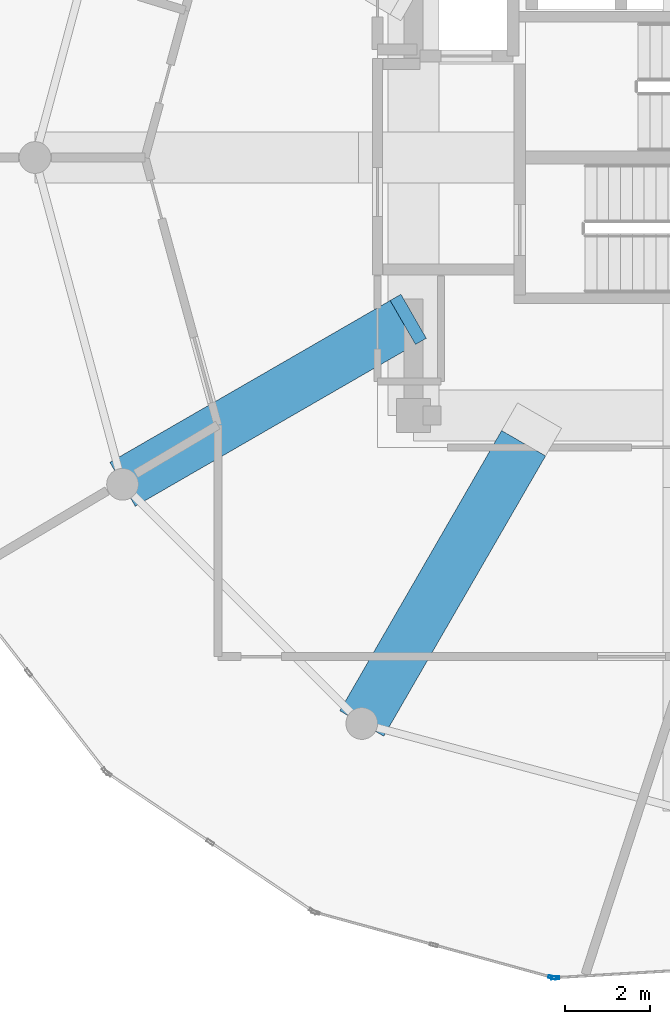
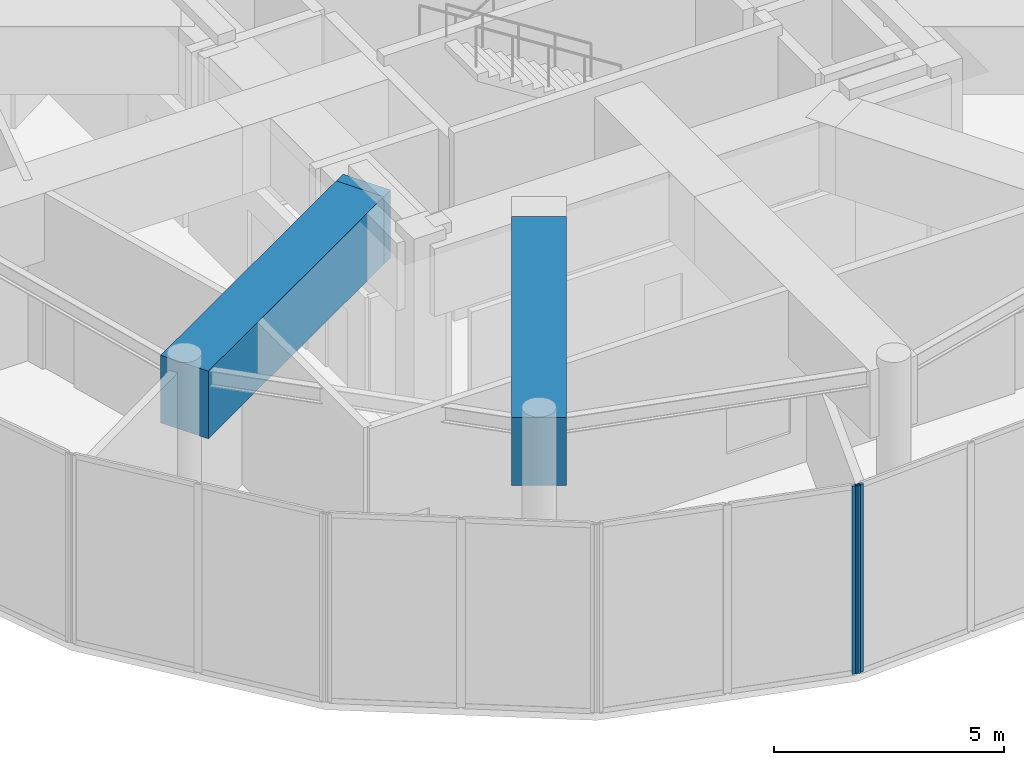
# One storey, part 4 of 20: 3 beams, 2 members, 2 elements without a shape of their own.
"""IFC4 building model written with IfcOpenShell, lengths in metres."""

import ifcopenshell
import ifcopenshell.guid

model = None  # the IFC model being written
_history = None  # IfcOwnerHistory: only IFC2X3 demands one
_inside = {}  # id of a spatial element -> (the spatial element, [elements in it])
_under = {}  # id of a project, library or spatial element -> (it, [spatial elements below it])
_declared = {}  # id of a project -> (the project, [libraries it declares])
_typed = {}  # id of a type object -> (the type object, [elements of that type])
_made_of = {}  # id of a material, layer set ... -> (it, [elements and type objects made of it])


def new_model(schema):
    """Start an empty IFC model of exactly this schema.

    Asked for "IFC4X3", IfcOpenShell would pick the latest addendum, in which some entities
    have other attributes; the version numbers below select the first issue.
    IFC2X3 requires an IfcOwnerHistory on every rooted entity: one is made here for all.
    """
    global model, _history
    if schema == "IFC4X3":
        model = ifcopenshell.file(schema_version=(4, 3, 0, 0))
    else:
        model = ifcopenshell.file(schema=schema)
    _inside.clear()
    _under.clear()
    _declared.clear()
    _typed.clear()
    _made_of.clear()
    _history = None
    if model.schema == "IFC2X3":
        org = make("IfcOrganization", Name="unknown")
        user = make(
            "IfcPersonAndOrganization",
            ThePerson=make("IfcPerson", FamilyName="unknown"),
            TheOrganization=org,
        )
        app = make(
            "IfcApplication",
            ApplicationDeveloper=org,
            Version="unknown",
            ApplicationFullName="unknown",
            ApplicationIdentifier="unknown",
        )
        _history = make(
            "IfcOwnerHistory",
            OwningUser=user,
            OwningApplication=app,
            ChangeAction="ADDED",
            CreationDate=0,
        )
    return model


def make(cls, **values):
    """One entity of the class cls with the attributes given. An attribute that is None is left unset."""
    return model.create_entity(
        cls, **{name: value for name, value in values.items() if value is not None}
    )


def rooted(cls, **values):
    """An entity with a GlobalId (a new one), such as an element, a storey or a relation."""
    return make(cls, GlobalId=ifcopenshell.guid.new(), OwnerHistory=_history, **values)


def si_unit(unit_type, name, prefix=None):
    """IfcSIUnit, for example si_unit("LENGTHUNIT", "METRE", prefix="MILLI")."""
    return make("IfcSIUnit", UnitType=unit_type, Prefix=prefix, Name=name)


def assignment(units):
    """IfcUnitAssignment: the units of a project."""
    return None if units is None else make("IfcUnitAssignment", Units=units)


def point(xyz):
    """IfcCartesianPoint."""
    return None if xyz is None else make("IfcCartesianPoint", Coordinates=xyz)


def direction(xyz):
    """IfcDirection."""
    return None if xyz is None else make("IfcDirection", DirectionRatios=xyz)


def frame(location, z_axis=None, x_axis=None):
    """IfcAxis2Placement3D, a coordinate frame: its origin and axes. An axis left out is left unset."""
    return make(
        "IfcAxis2Placement3D",
        Location=point(location),
        Axis=direction(z_axis),
        RefDirection=direction(x_axis),
    )


def frame_2d(location, x_axis=None):
    """IfcAxis2Placement2D, a coordinate frame in the plane: its origin and x axis."""
    return make(
        "IfcAxis2Placement2D", Location=point(location), RefDirection=direction(x_axis)
    )


def origin():
    """The frame at (0, 0, 0) with its axes left unset."""
    return frame((0.0, 0.0, 0.0))


def origin_2d():
    """The frame at (0, 0) in the plane with its x axis left unset."""
    return frame_2d((0.0, 0.0))


def place(relative_to, where):
    """IfcLocalPlacement: puts the frame where relative to a parent placement (None: the world)."""
    return make(
        "IfcLocalPlacement", PlacementRelTo=relative_to, RelativePlacement=where
    )


def context(
    kind, dimensions, precision=None, world=None, true_north=None, identifier=None
):
    """IfcGeometricRepresentationContext, for example the 3D "Model" context."""
    return make(
        "IfcGeometricRepresentationContext",
        ContextIdentifier=identifier,
        ContextType=kind,
        CoordinateSpaceDimension=dimensions,
        Precision=precision,
        WorldCoordinateSystem=world,
        TrueNorth=true_north,
    )


def subcontext(parent, identifier, kind, view, scale=None):
    """IfcGeometricRepresentationSubContext, for example "Body" below "Model"."""
    return make(
        "IfcGeometricRepresentationSubContext",
        ContextIdentifier=identifier,
        ContextType=kind,
        ParentContext=parent,
        TargetScale=scale,
        TargetView=view,
    )


def project(units=None, contexts=None):
    """IfcProject with its units and contexts."""
    return rooted(
        "IfcProject",
        Name="project",
        RepresentationContexts=contexts,
        UnitsInContext=assignment(units),
    )


def spatial(cls, under=None, at=None, **own):
    """A site, building, storey or space (cls), placed at a placement, below another one or the project."""
    s = rooted(cls, ObjectPlacement=at, **own)
    if under is not None:
        _under.setdefault(under.id(), (under, []))[1].append(s)
    return s


def profile(cls, at=None, kind="AREA", **sizes):
    """A parametric profile (cls). Its sizes go by their IFC names, for example OverallWidth=200.0."""
    return make(cls, ProfileType=kind, Position=at, **sizes)


def rectangle(**sizes):
    """IfcRectangleProfileDef."""
    return profile("IfcRectangleProfileDef", **sizes)


def hollow_rectangle(**sizes):
    """IfcRectangleHollowProfileDef."""
    return profile("IfcRectangleHollowProfileDef", **sizes)


def extrude(swept, where, along, depth):
    """IfcExtrudedAreaSolid: the profile swept, set in the frame where, extruded along a direction by depth."""
    return make(
        "IfcExtrudedAreaSolid",
        SweptArea=swept,
        Position=where,
        ExtrudedDirection=direction(along),
        Depth=depth,
    )


def shape(context_of_items, identifier, shape_type, items):
    """IfcShapeRepresentation: the items that make up one representation, for example the "Body"."""
    return make(
        "IfcShapeRepresentation",
        ContextOfItems=context_of_items,
        RepresentationIdentifier=identifier,
        RepresentationType=shape_type,
        Items=items,
    )


def source(mapping_origin, context_of_items, identifier, shape_type, items):
    """IfcRepresentationMap: a shape defined once, which mapped items show again and again."""
    return make(
        "IfcRepresentationMap",
        MappingOrigin=mapping_origin,
        MappedRepresentation=shape(context_of_items, identifier, shape_type, items),
    )


def transform(
    local_origin,
    x_axis=None,
    y_axis=None,
    z_axis=None,
    scale=None,
    scale2=None,
    scale3=None,
    uniform=True,
):
    """IfcCartesianTransformationOperator3D, or its non-uniform kind. x_axis, y_axis, z_axis: its Axis1, 2, 3."""
    if uniform:
        return make(
            "IfcCartesianTransformationOperator3D",
            Axis1=direction(x_axis),
            Axis2=direction(y_axis),
            LocalOrigin=point(local_origin),
            Scale=scale,
            Axis3=direction(z_axis),
        )
    return make(
        "IfcCartesianTransformationOperator3DnonUniform",
        Axis1=direction(x_axis),
        Axis2=direction(y_axis),
        LocalOrigin=point(local_origin),
        Scale=scale,
        Axis3=direction(z_axis),
        Scale2=scale2,
        Scale3=scale3,
    )


def mapped(mapping_source, mapping_target):
    """IfcMappedItem: shows the shape of a source again, moved by a transform."""
    return make(
        "IfcMappedItem", MappingSource=mapping_source, MappingTarget=mapping_target
    )


def material(Name=None, Category=None):
    """IfcMaterial."""
    return make("IfcMaterial", Name=Name, Category=Category)


def layer(
    of_material, thickness, ventilated=None, Name=None, Category=None, Priority=None
):
    """IfcMaterialLayer: one layer of a wall or slab, of a material (None: an air gap)."""
    return make(
        "IfcMaterialLayer",
        Material=of_material,
        LayerThickness=thickness,
        IsVentilated=ventilated,
        Name=Name,
        Category=Category,
        Priority=Priority,
    )


def layer_set(layers, Name=None):
    """IfcMaterialLayerSet."""
    return make("IfcMaterialLayerSet", MaterialLayers=layers, LayerSetName=Name)


def material_profile(
    of_material, cross_section, Name=None, Category=None, Priority=None
):
    """IfcMaterialProfile: a cross section and its material."""
    return make(
        "IfcMaterialProfile",
        Name=Name,
        Material=of_material,
        Profile=cross_section,
        Priority=Priority,
        Category=Category,
    )


def profile_set(profiles, Name=None, composite=None):
    """IfcMaterialProfileSet."""
    return make(
        "IfcMaterialProfileSet",
        Name=Name,
        MaterialProfiles=profiles,
        CompositeProfile=composite,
    )


def made_of(thing, what):
    """Note that an element or type object is made of a material, layer set ...; save() writes the relation."""
    if what is not None:
        _made_of.setdefault(what.id(), (what, []))[1].append(thing)
    return thing


def type_object(cls, material=None, **own):
    """A type object (cls), such as IfcWallType, which elements share."""
    return made_of(rooted(cls, **own), material)


def element(
    cls,
    number,
    at=None,
    inside=None,
    cuts=None,
    type_object=None,
    material=None,
    context=None,
    identifier="Body",
    shape_type=None,
    held_by="IfcProductDefinitionShape",
    body=None,
    shapes=None,
    **own,
):
    """One element of the class cls, such as IfcWall. Its Tag is "e" and its number.

    at: its placement. inside: the storey or other place that contains it. cuts: it is an
    opening in that element (IfcRelVoidsElement). A single representation is given by context,
    identifier, shape_type and body (its items); several are given by shapes. held_by: the class
    of the entity that holds the representations. save() writes the other relations.
    """
    e = rooted(cls, Tag="e%d" % number, ObjectPlacement=at, **own)
    if body is not None:
        shapes = [shape(context, identifier, shape_type, body)]
    if shapes is not None:
        e.Representation = make(held_by, Representations=shapes)
    if inside is not None:
        _inside.setdefault(inside.id(), (inside, []))[1].append(e)
    if cuts is not None:
        rooted(
            "IfcRelVoidsElement", RelatingBuildingElement=cuts, RelatedOpeningElement=e
        )
    if type_object is not None:
        _typed.setdefault(type_object.id(), (type_object, []))[1].append(e)
    return made_of(e, material)


def aggregate(whole, parts):
    """IfcRelAggregates: a whole, such as a stair, and the parts it consists of."""
    return rooted("IfcRelAggregates", RelatingObject=whole, RelatedObjects=parts)


def save(model, path):
    """Write the relations noted so far, then the file.

    IfcRelAggregates (storeys below a building ...), IfcRelContainedInSpatialStructure (elements
    in a storey), IfcRelDefinesByType, IfcRelAssociatesMaterial and IfcRelDeclares: one each for
    every whole, place, type object, material and project.
    """
    for whole, parts in _under.values():
        aggregate(whole, parts)
    for where, things in _inside.values():
        rooted(
            "IfcRelContainedInSpatialStructure",
            RelatedElements=things,
            RelatingStructure=where,
        )
    for kind, things in _typed.values():
        rooted("IfcRelDefinesByType", RelatedObjects=things, RelatingType=kind)
    for what, things in _made_of.values():
        rooted("IfcRelAssociatesMaterial", RelatedObjects=things, RelatingMaterial=what)
    for by, libraries in _declared.values():
        rooted("IfcRelDeclares", RelatingContext=by, RelatedDefinitions=libraries)
    model.write(path)


model = new_model("IFC4")

# Units and contexts
model_context = context("Model", 3, precision=1e-05, world=origin(), true_north=direction((0.0, 1.0)))
body_context = subcontext(model_context, "Body", "Model", "MODEL_VIEW")
ifc_project = project(units=[si_unit("LENGTHUNIT", "METRE"), si_unit("AREAUNIT", "SQUARE_METRE"), si_unit("VOLUMEUNIT", "CUBIC_METRE"), si_unit("PLANEANGLEUNIT", "RADIAN"), si_unit("MASSUNIT", "GRAM", prefix="KILO")], contexts=[model_context])

# Site, building, storey
site_placement = place(None, origin())
site = spatial("IfcSite", under=ifc_project, at=site_placement, CompositionType="ELEMENT")
building_placement = place(site_placement, origin())
building = spatial("IfcBuilding", under=site, at=building_placement, Name="Solvirekh Grand Hotel", CompositionType="ELEMENT")
storey_placement = place(building_placement, frame((0.0, 0.0, 297.199951171875)))
storey = spatial("IfcBuildingStorey", under=building, at=storey_placement, Name="L77", CompositionType="ELEMENT", Elevation=297.199951171875)

# Beams
ifc_material_1 = material(Name="Concrete C60/75", Category="concrete")
ifc_material_profile_1 = material_profile(ifc_material_1, rectangle(XDim=1.199951171875, YDim=1.800048828125, at=origin_2d()), Name="RC GIRDER 1200X1800")
ifc_profile_set_1 = profile_set([ifc_material_profile_1], Name="Concrete C60/75")
beam_type = type_object("IfcBeamType", Name="TransferGirder_RC1800", PredefinedType="USERDEFINED", material=ifc_profile_set_1)
beam_placement = place(storey_placement, frame((-6.5, -3.7529296875, 3.820068359375), z_axis=(-0.866296080141, -0.49953088146, 0.0), x_axis=(0.49953088146, -0.866296080141, 0.0)))
element("IfcBeam", 1, at=beam_placement, inside=storey, type_object=beam_type, Name="L77 inner radial transfer girder 8A", ObjectType="TRANSFER GIRDER", PredefinedType="USERDEFINED", context=body_context, shape_type="SweptSolid", body=[
    extrude(rectangle(XDim=1.199951171875, YDim=1.800048828125, at=origin_2d()), origin(), (0.0, 0.0, 1.0), 0.294189453125),
])
for number, where, z_axis, x_axis, name in (
    (2, (-6.7548828125, -3.89990234375, 3.820068359375), (-0.866011265228, -0.500024487898, 0.0), (0.500024487898, -0.866011265228, 0.0), "L77 outer radial transfer girder 8B"),
    (3, (-3.89990234375, -6.7548828125, 3.820068359375), (-0.500024487898, -0.866011265228, 0.0), (0.866011265228, -0.500024487898, 0.0), "L77 outer radial transfer girder 9B"),
):
    element("IfcBeam", number, at=place(storey_placement, frame(where, z_axis=z_axis, x_axis=x_axis)), inside=storey, type_object=beam_type, Name=name, ObjectType="TRANSFER GIRDER", PredefinedType="USERDEFINED", context=body_context, shape_type="SweptSolid", body=[
        extrude(rectangle(XDim=1.199951171875, YDim=1.800048828125, at=origin_2d()), origin(), (0.0, 0.0, 1.0), 7.64990234375),
    ])

# Curtain wall, member
ifc_material_2 = material(Name="Anodized Bronze Aluminium 6063-T6", Category="aluminium")
ifc_layer = layer(ifc_material_2, 0.18994140625)
ifc_layer_set = layer_set([ifc_layer], Name="Anodized Bronze Aluminium 6063-T6")
curtain_wall_type = type_object("IfcCurtainWallType", Name="CW_Sys5_SkyLobbyPanoramaCW", PredefinedType="NOTDEFINED", material=ifc_layer_set)
curtain_wall_1_placement = place(storey_placement, origin())
curtain_wall_1 = element("IfcCurtainWall", 4, at=curtain_wall_1_placement, inside=storey, type_object=curtain_wall_type, Name="L77 unitised bronze-glass curtain wall CW-L77-C01", PredefinedType="NOTDEFINED")
ifc_material_profile_2 = material_profile(ifc_material_2, hollow_rectangle(XDim=0.070068359375, YDim=0.18994140625, WallThickness=0.0048828125, at=origin_2d()), Name="ALU RHS 190X70X5")
ifc_profile_set_2 = profile_set([ifc_material_profile_2], Name="Anodized Bronze Aluminium 6063-T6")
member_type = type_object("IfcMemberType", Name="CWMullion_Sys5", PredefinedType="MULLION", material=ifc_profile_set_2)
shared_shape = source(origin(), body_context, "Body", "SweptSolid", [
    extrude(hollow_rectangle(XDim=0.070068359375, YDim=0.18994140625, WallThickness=0.0048828125, at=origin_2d()), origin(), (0.0, 0.0, 1.0), 5.0),
])
member_1_placement = place(storey_placement, frame((-3.153076171875, -19.390869140625, 0.0), z_axis=(0.0, 0.0, 1.0), x_axis=(-0.058412544796, 0.998292529578, 0.0)))
member_1 = element("IfcMember", 5, at=member_1_placement, type_object=member_type, Name="U05 mullion 1", PredefinedType="MULLION", context=body_context, shape_type="MappedRepresentation", body=[
    mapped(shared_shape, transform((0.0, 0.0, 0.0), x_axis=(1.0, 0.0, 0.0), y_axis=(0.0, 1.0, 0.0), z_axis=(0.0, 0.0, 1.0), scale=1.0)),
])
aggregate(curtain_wall_1, [member_1])

curtain_wall_2_placement = place(storey_placement, origin())
curtain_wall_2 = element("IfcCurtainWall", 6, at=curtain_wall_2_placement, inside=storey, type_object=curtain_wall_type, Name="L77 unitised bronze-glass curtain wall CW-L77-C20", PredefinedType="NOTDEFINED")
member_2_placement = place(storey_placement, frame((-3.2216796875, -19.3837890625, 0.0), z_axis=(0.0, 0.0, 1.0), x_axis=(0.264788393532, 0.964306541848, 0.0)))
member_2 = element("IfcMember", 7, at=member_2_placement, type_object=member_type, Name="U05 mullion 3", PredefinedType="MULLION", context=body_context, shape_type="MappedRepresentation", body=[
    mapped(shared_shape, transform((0.0, 0.0, 0.0), x_axis=(1.0, 0.0, 0.0), y_axis=(0.0, 1.0, 0.0), z_axis=(0.0, 0.0, 1.0), scale=1.0)),
])
aggregate(curtain_wall_2, [member_2])

save(model, "model.ifc")
